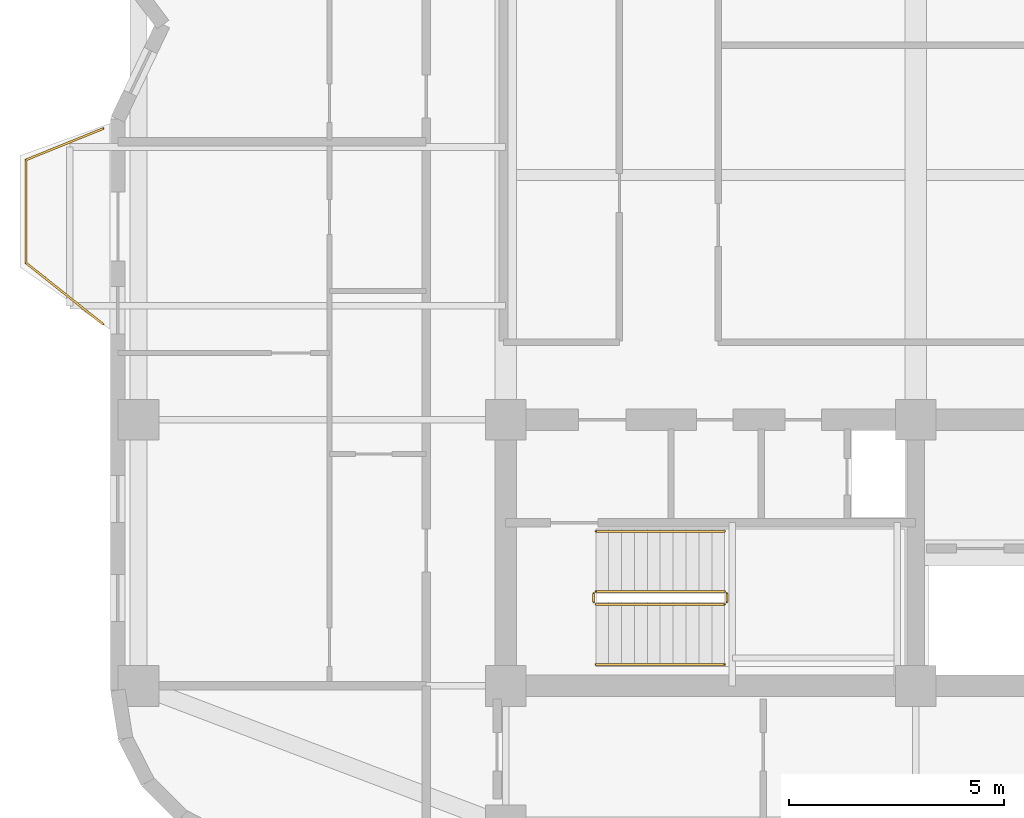
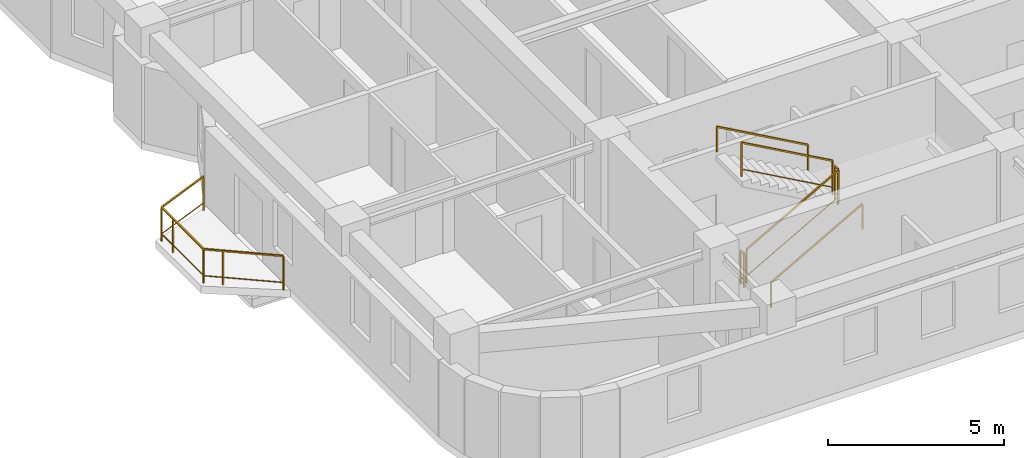
# One storey, part 8 of 9: 7 railings.
"""IFC4 building model written with IfcOpenShell, lengths in metres."""

import ifcopenshell
import ifcopenshell.guid

model = None  # the IFC model being written
_history = None  # IfcOwnerHistory: only IFC2X3 demands one
_inside = {}  # id of a spatial element -> (the spatial element, [elements in it])
_under = {}  # id of a project, library or spatial element -> (it, [spatial elements below it])
_declared = {}  # id of a project -> (the project, [libraries it declares])
_typed = {}  # id of a type object -> (the type object, [elements of that type])
_made_of = {}  # id of a material, layer set ... -> (it, [elements and type objects made of it])


def new_model(schema):
    """Start an empty IFC model of exactly this schema.

    Asked for "IFC4X3", IfcOpenShell would pick the latest addendum, in which some entities
    have other attributes; the version numbers below select the first issue.
    IFC2X3 requires an IfcOwnerHistory on every rooted entity: one is made here for all.
    """
    global model, _history
    if schema == "IFC4X3":
        model = ifcopenshell.file(schema_version=(4, 3, 0, 0))
    else:
        model = ifcopenshell.file(schema=schema)
    _inside.clear()
    _under.clear()
    _declared.clear()
    _typed.clear()
    _made_of.clear()
    _history = None
    if model.schema == "IFC2X3":
        org = make("IfcOrganization", Name="unknown")
        user = make(
            "IfcPersonAndOrganization",
            ThePerson=make("IfcPerson", FamilyName="unknown"),
            TheOrganization=org,
        )
        app = make(
            "IfcApplication",
            ApplicationDeveloper=org,
            Version="unknown",
            ApplicationFullName="unknown",
            ApplicationIdentifier="unknown",
        )
        _history = make(
            "IfcOwnerHistory",
            OwningUser=user,
            OwningApplication=app,
            ChangeAction="ADDED",
            CreationDate=0,
        )
    return model


def make(cls, **values):
    """One entity of the class cls with the attributes given. An attribute that is None is left unset."""
    return model.create_entity(
        cls, **{name: value for name, value in values.items() if value is not None}
    )


def rooted(cls, **values):
    """An entity with a GlobalId (a new one), such as an element, a storey or a relation."""
    return make(cls, GlobalId=ifcopenshell.guid.new(), OwnerHistory=_history, **values)


def si_unit(unit_type, name, prefix=None):
    """IfcSIUnit, for example si_unit("LENGTHUNIT", "METRE", prefix="MILLI")."""
    return make("IfcSIUnit", UnitType=unit_type, Prefix=prefix, Name=name)


def assignment(units):
    """IfcUnitAssignment: the units of a project."""
    return None if units is None else make("IfcUnitAssignment", Units=units)


def point(xyz):
    """IfcCartesianPoint."""
    return None if xyz is None else make("IfcCartesianPoint", Coordinates=xyz)


def direction(xyz):
    """IfcDirection."""
    return None if xyz is None else make("IfcDirection", DirectionRatios=xyz)


def frame(location, z_axis=None, x_axis=None):
    """IfcAxis2Placement3D, a coordinate frame: its origin and axes. An axis left out is left unset."""
    return make(
        "IfcAxis2Placement3D",
        Location=point(location),
        Axis=direction(z_axis),
        RefDirection=direction(x_axis),
    )


def frame_2d(location, x_axis=None):
    """IfcAxis2Placement2D, a coordinate frame in the plane: its origin and x axis."""
    return make(
        "IfcAxis2Placement2D", Location=point(location), RefDirection=direction(x_axis)
    )


def origin():
    """The frame at (0, 0, 0) with its axes left unset."""
    return frame((0.0, 0.0, 0.0))


def origin_2d():
    """The frame at (0, 0) in the plane with its x axis left unset."""
    return frame_2d((0.0, 0.0))


def place(relative_to, where):
    """IfcLocalPlacement: puts the frame where relative to a parent placement (None: the world)."""
    return make(
        "IfcLocalPlacement", PlacementRelTo=relative_to, RelativePlacement=where
    )


def context(
    kind, dimensions, precision=None, world=None, true_north=None, identifier=None
):
    """IfcGeometricRepresentationContext, for example the 3D "Model" context."""
    return make(
        "IfcGeometricRepresentationContext",
        ContextIdentifier=identifier,
        ContextType=kind,
        CoordinateSpaceDimension=dimensions,
        Precision=precision,
        WorldCoordinateSystem=world,
        TrueNorth=true_north,
    )


def subcontext(parent, identifier, kind, view, scale=None):
    """IfcGeometricRepresentationSubContext, for example "Body" below "Model"."""
    return make(
        "IfcGeometricRepresentationSubContext",
        ContextIdentifier=identifier,
        ContextType=kind,
        ParentContext=parent,
        TargetScale=scale,
        TargetView=view,
    )


def project(units=None, contexts=None):
    """IfcProject with its units and contexts."""
    return rooted(
        "IfcProject",
        Name="project",
        RepresentationContexts=contexts,
        UnitsInContext=assignment(units),
    )


def spatial(cls, under=None, at=None, **own):
    """A site, building, storey or space (cls), placed at a placement, below another one or the project."""
    s = rooted(cls, ObjectPlacement=at, **own)
    if under is not None:
        _under.setdefault(under.id(), (under, []))[1].append(s)
    return s


def profile(cls, at=None, kind="AREA", **sizes):
    """A parametric profile (cls). Its sizes go by their IFC names, for example OverallWidth=200.0."""
    return make(cls, ProfileType=kind, Position=at, **sizes)


def rectangle(**sizes):
    """IfcRectangleProfileDef."""
    return profile("IfcRectangleProfileDef", **sizes)


def extrude(swept, where, along, depth):
    """IfcExtrudedAreaSolid: the profile swept, set in the frame where, extruded along a direction by depth."""
    return make(
        "IfcExtrudedAreaSolid",
        SweptArea=swept,
        Position=where,
        ExtrudedDirection=direction(along),
        Depth=depth,
    )


def shape(context_of_items, identifier, shape_type, items):
    """IfcShapeRepresentation: the items that make up one representation, for example the "Body"."""
    return make(
        "IfcShapeRepresentation",
        ContextOfItems=context_of_items,
        RepresentationIdentifier=identifier,
        RepresentationType=shape_type,
        Items=items,
    )


def material(Name=None, Category=None):
    """IfcMaterial."""
    return make("IfcMaterial", Name=Name, Category=Category)


def made_of(thing, what):
    """Note that an element or type object is made of a material, layer set ...; save() writes the relation."""
    if what is not None:
        _made_of.setdefault(what.id(), (what, []))[1].append(thing)
    return thing


def type_object(cls, material=None, **own):
    """A type object (cls), such as IfcWallType, which elements share."""
    return made_of(rooted(cls, **own), material)


def element(
    cls,
    number,
    at=None,
    inside=None,
    cuts=None,
    type_object=None,
    material=None,
    context=None,
    identifier="Body",
    shape_type=None,
    held_by="IfcProductDefinitionShape",
    body=None,
    shapes=None,
    **own,
):
    """One element of the class cls, such as IfcWall. Its Tag is "e" and its number.

    at: its placement. inside: the storey or other place that contains it. cuts: it is an
    opening in that element (IfcRelVoidsElement). A single representation is given by context,
    identifier, shape_type and body (its items); several are given by shapes. held_by: the class
    of the entity that holds the representations. save() writes the other relations.
    """
    e = rooted(cls, Tag="e%d" % number, ObjectPlacement=at, **own)
    if body is not None:
        shapes = [shape(context, identifier, shape_type, body)]
    if shapes is not None:
        e.Representation = make(held_by, Representations=shapes)
    if inside is not None:
        _inside.setdefault(inside.id(), (inside, []))[1].append(e)
    if cuts is not None:
        rooted(
            "IfcRelVoidsElement", RelatingBuildingElement=cuts, RelatedOpeningElement=e
        )
    if type_object is not None:
        _typed.setdefault(type_object.id(), (type_object, []))[1].append(e)
    return made_of(e, material)


def aggregate(whole, parts):
    """IfcRelAggregates: a whole, such as a stair, and the parts it consists of."""
    return rooted("IfcRelAggregates", RelatingObject=whole, RelatedObjects=parts)


def save(model, path):
    """Write the relations noted so far, then the file.

    IfcRelAggregates (storeys below a building ...), IfcRelContainedInSpatialStructure (elements
    in a storey), IfcRelDefinesByType, IfcRelAssociatesMaterial and IfcRelDeclares: one each for
    every whole, place, type object, material and project.
    """
    for whole, parts in _under.values():
        aggregate(whole, parts)
    for where, things in _inside.values():
        rooted(
            "IfcRelContainedInSpatialStructure",
            RelatedElements=things,
            RelatingStructure=where,
        )
    for kind, things in _typed.values():
        rooted("IfcRelDefinesByType", RelatedObjects=things, RelatingType=kind)
    for what, things in _made_of.values():
        rooted("IfcRelAssociatesMaterial", RelatedObjects=things, RelatingMaterial=what)
    for by, libraries in _declared.values():
        rooted("IfcRelDeclares", RelatingContext=by, RelatedDefinitions=libraries)
    model.write(path)


model = new_model("IFC4")

# Units and contexts
model_context = context("Model", 3, precision=1e-05, world=origin(), true_north=direction((0.0, 1.0)))
body_context = subcontext(model_context, "Body", "Model", "MODEL_VIEW")
ifc_project = project(units=[si_unit("LENGTHUNIT", "METRE"), si_unit("AREAUNIT", "SQUARE_METRE"), si_unit("VOLUMEUNIT", "CUBIC_METRE"), si_unit("PLANEANGLEUNIT", "RADIAN"), si_unit("MASSUNIT", "GRAM", prefix="KILO")], contexts=[model_context])

# Site, building, storey
site_placement = place(None, origin())
site = spatial("IfcSite", under=ifc_project, at=site_placement, CompositionType="ELEMENT")
building_placement = place(site_placement, origin())
building = spatial("IfcBuilding", under=site, at=building_placement, Name="Svetorya Sky Lyceum", CompositionType="ELEMENT")
storey_placement = place(building_placement, frame((0.0, 0.0, 192.199951171875)))
storey = spatial("IfcBuildingStorey", under=building, at=storey_placement, Name="L48", CompositionType="ELEMENT", Elevation=192.199951171875)

# Railings
ifc_material_1 = material(Name="Laminated safety glass and stainless AISI 316", Category="glass")
railing_type_1 = type_object("IfcRailingType", Name="RL-BAL-1200", PredefinedType="BALUSTRADE", material=ifc_material_1)
railing_1_placement = place(storey_placement, frame((16.22998046875, 19.02001953125, 0.0)))
element("IfcRailing", 1, at=railing_1_placement, inside=storey, type_object=railing_type_1, Name="L48 Balcony Balustrade BAL-W1", PredefinedType="BALUSTRADE", context=body_context, shape_type="SweptSolid", body=[
    extrude(rectangle(XDim=0.048095703125, YDim=0.048095703125, at=origin_2d()), frame((0.0, 0.0, 1.17578125), z_axis=(-0.783008919264, 0.622010476079, 0.0), x_axis=(-0.622010476079, -0.783008919264, 0.0)), (0.0, 0.0, 1.0), 2.298828125),
    extrude(rectangle(XDim=0.02392578125, YDim=0.02392578125, at=origin_2d()), frame((0.0, 0.0, 0.25), z_axis=(-0.783008919264, 0.622010476079, 0.0), x_axis=(-0.622010476079, -0.783008919264, 0.0)), (0.0, 0.0, 1.0), 2.298828125),
    extrude(rectangle(XDim=0.048095703125, YDim=0.048095703125, at=origin_2d()), frame((-1.800048828125, 1.429931640625, 1.17578125), z_axis=(0.0, 1.0, 0.0), x_axis=(-1.0, 0.0, 0.0)), (0.0, 0.0, 1.0), 2.400146484375),
    extrude(rectangle(XDim=0.02392578125, YDim=0.02392578125, at=origin_2d()), frame((-1.800048828125, 1.429931640625, 0.25), z_axis=(0.0, 1.0, 0.0), x_axis=(-1.0, 0.0, 0.0)), (0.0, 0.0, 1.0), 2.400146484375),
    extrude(rectangle(XDim=0.048095703125, YDim=0.048095703125, at=origin_2d()), frame((-1.800048828125, 3.830078125, 1.17578125), z_axis=(0.926697865975, 0.375807218129, 0.0), x_axis=(-0.375807218129, 0.926697865975, 0.0)), (0.0, 0.0, 1.0), 1.9423828125),
    extrude(rectangle(XDim=0.02392578125, YDim=0.02392578125, at=origin_2d()), frame((-1.800048828125, 3.830078125, 0.25), z_axis=(0.926697865975, 0.375807218129, 0.0), x_axis=(-0.375807218129, 0.926697865975, 0.0)), (0.0, 0.0, 1.0), 1.9423828125),
    extrude(rectangle(XDim=0.0419921875, YDim=0.0419921875, at=origin_2d()), origin(), (0.0, 0.0, 1.0), 1.15185546875),
    extrude(rectangle(XDim=0.0419921875, YDim=0.0419921875, at=origin_2d()), frame((-1.370361328125, 1.088623046875, 0.0)), (0.0, 0.0, 1.0), 1.15185546875),
    extrude(rectangle(XDim=0.0419921875, YDim=0.0419921875, at=origin_2d()), frame((-1.800048828125, 1.429931640625, 0.0)), (0.0, 0.0, 1.0), 1.15185546875),
    extrude(rectangle(XDim=0.0419921875, YDim=0.0419921875, at=origin_2d()), frame((-1.800048828125, 3.179931640625, 0.0)), (0.0, 0.0, 1.0), 1.15185546875),
    extrude(rectangle(XDim=0.0419921875, YDim=0.0419921875, at=origin_2d()), frame((-1.800048828125, 3.830078125, 0.0)), (0.0, 0.0, 1.0), 1.15185546875),
    extrude(rectangle(XDim=0.0419921875, YDim=0.0419921875, at=origin_2d()), frame((0.0, 4.56005859375, 0.0)), (0.0, 0.0, 1.0), 1.15185546875),
])
ifc_material_2 = material(Name="Painted galvanized stair well guard")
railing_type_2 = type_object("IfcRailingType", Name="RL-STR-GUARD-1200", PredefinedType="GUARDRAIL", material=ifc_material_2)
railing_2_placement = place(storey_placement, frame((27.699951171875, 12.5, 0.168212890625)))
element("IfcRailing", 2, at=railing_2_placement, inside=storey, type_object=railing_type_2, Name="L48 ST-S stair guard 1", PredefinedType="GUARDRAIL", context=body_context, shape_type="SweptSolid", body=[
    extrude(rectangle(XDim=0.048095703125, YDim=0.048095703125, at=origin_2d()), frame((0.0, 0.0, 1.17578125), z_axis=(0.872272294576, 0.0, 0.489020494575), x_axis=(0.0, 1.0, 0.0)), (0.0, 0.0, 1.0), 3.439208984375),
    extrude(rectangle(XDim=0.02392578125, YDim=0.02392578125, at=origin_2d()), frame((0.0, 0.0, 0.25), z_axis=(0.872272294576, 0.0, 0.489020494575), x_axis=(0.0, 1.0, 0.0)), (0.0, 0.0, 1.0), 3.439208984375),
    extrude(rectangle(XDim=0.0419921875, YDim=0.0419921875, at=origin_2d()), origin(), (0.0, 0.0, 1.0), 1.15185546875),
    extrude(rectangle(XDim=0.0419921875, YDim=0.0419921875, at=origin_2d()), frame((3.0, 0.0, 1.681884765625)), (0.0, 0.0, 1.0), 1.15185546875),
])
railing_3_placement = place(storey_placement, frame((30.75, 12.550048828125, 1.85009765625)))
element("IfcRailing", 3, at=railing_3_placement, inside=storey, type_object=railing_type_2, Name="L48 ST-S stair guard 2", PredefinedType="GUARDRAIL", context=body_context, shape_type="SweptSolid", body=[
    extrude(rectangle(XDim=0.048095703125, YDim=0.048095703125, at=origin_2d()), frame((0.0, 0.0, 1.17578125), z_axis=(0.0, 1.0, 0.0), x_axis=(-1.0, 0.0, 0.0)), (0.0, 0.0, 1.0), 0.199951171875),
    extrude(rectangle(XDim=0.02392578125, YDim=0.02392578125, at=origin_2d()), frame((0.0, 0.0, 0.25), z_axis=(0.0, 1.0, 0.0), x_axis=(-1.0, 0.0, 0.0)), (0.0, 0.0, 1.0), 0.199951171875),
    extrude(rectangle(XDim=0.0419921875, YDim=0.0419921875, at=origin_2d()), origin(), (0.0, 0.0, 1.0), 1.15185546875),
    extrude(rectangle(XDim=0.0419921875, YDim=0.0419921875, at=origin_2d()), frame((0.0, 0.199951171875, 0.0)), (0.0, 0.0, 1.0), 1.15185546875),
])
railing_4_placement = place(storey_placement, frame((30.699951171875, 12.800048828125, 2.018310546875)))
element("IfcRailing", 4, at=railing_4_placement, inside=storey, type_object=railing_type_2, Name="L48 ST-S stair guard 3", PredefinedType="GUARDRAIL", context=body_context, shape_type="SweptSolid", body=[
    extrude(rectangle(XDim=0.048095703125, YDim=0.048095703125, at=origin_2d()), frame((0.0, 0.0, 1.17578125), z_axis=(-0.872302573547, 0.0, 0.488966481656), x_axis=(0.0, -1.0, 0.0)), (0.0, 0.0, 1.0), 3.439208984375),
    extrude(rectangle(XDim=0.02392578125, YDim=0.02392578125, at=origin_2d()), frame((0.0, 0.0, 0.25), z_axis=(-0.872302573547, 0.0, 0.488966481656), x_axis=(0.0, -1.0, 0.0)), (0.0, 0.0, 1.0), 3.439208984375),
    extrude(rectangle(XDim=0.0419921875, YDim=0.0419921875, at=origin_2d()), origin(), (0.0, 0.0, 1.0), 1.15185546875),
    extrude(rectangle(XDim=0.0419921875, YDim=0.0419921875, at=origin_2d()), frame((-3.0, 0.0, 1.681640625)), (0.0, 0.0, 1.0), 1.15185546875),
])
railing_5_placement = place(storey_placement, frame((27.64990234375, 12.550048828125, 0.0)))
element("IfcRailing", 5, at=railing_5_placement, inside=storey, type_object=railing_type_2, Name="L48 ST-S stair guard 4", PredefinedType="GUARDRAIL", context=body_context, shape_type="SweptSolid", body=[
    extrude(rectangle(XDim=0.048095703125, YDim=0.048095703125, at=origin_2d()), frame((0.0, 0.0, 1.17578125), z_axis=(0.0, 1.0, 0.0), x_axis=(-1.0, 0.0, 0.0)), (0.0, 0.0, 1.0), 0.199951171875),
    extrude(rectangle(XDim=0.02392578125, YDim=0.02392578125, at=origin_2d()), frame((0.0, 0.0, 0.25), z_axis=(0.0, 1.0, 0.0), x_axis=(-1.0, 0.0, 0.0)), (0.0, 0.0, 1.0), 0.199951171875),
    extrude(rectangle(XDim=0.0419921875, YDim=0.0419921875, at=origin_2d()), origin(), (0.0, 0.0, 1.0), 1.15185546875),
    extrude(rectangle(XDim=0.0419921875, YDim=0.0419921875, at=origin_2d()), frame((0.0, 0.199951171875, 0.0)), (0.0, 0.0, 1.0), 1.15185546875),
])
ifc_material_3 = material(Name="Brushed stainless AISI 304 stair handrail")
railing_type_3 = type_object("IfcRailingType", Name="RL-STR-HAND-920", PredefinedType="HANDRAIL", material=ifc_material_3)
railing_6_placement = place(storey_placement, frame((27.699951171875, 11.10009765625, 0.168212890625)))
element("IfcRailing", 6, at=railing_6_placement, inside=storey, type_object=railing_type_3, Name="L48 ST-S stair handrail 1", PredefinedType="HANDRAIL", context=body_context, shape_type="SweptSolid", body=[
    extrude(rectangle(XDim=0.048095703125, YDim=0.048095703125, at=origin_2d()), frame((0.0, 0.0, 0.8759765625), z_axis=(0.872272294576, 0.0, 0.489020494575), x_axis=(0.0, 1.0, 0.0)), (0.0, 0.0, 1.0), 3.439208984375),
    extrude(rectangle(XDim=0.0419921875, YDim=0.0419921875, at=origin_2d()), origin(), (0.0, 0.0, 1.0), 0.851806640625),
    extrude(rectangle(XDim=0.0419921875, YDim=0.0419921875, at=origin_2d()), frame((3.0, 0.0, 1.681884765625)), (0.0, 0.0, 1.0), 0.851806640625),
])
railing_7_placement = place(storey_placement, frame((30.699951171875, 14.199951171875, 2.018310546875)))
element("IfcRailing", 7, at=railing_7_placement, inside=storey, type_object=railing_type_3, Name="L48 ST-S stair handrail 2", PredefinedType="HANDRAIL", context=body_context, shape_type="SweptSolid", body=[
    extrude(rectangle(XDim=0.048095703125, YDim=0.048095703125, at=origin_2d()), frame((0.0, 0.0, 0.8759765625), z_axis=(-0.872302573547, 0.0, 0.488966481656), x_axis=(0.0, -1.0, 0.0)), (0.0, 0.0, 1.0), 3.439208984375),
    extrude(rectangle(XDim=0.0419921875, YDim=0.0419921875, at=origin_2d()), origin(), (0.0, 0.0, 1.0), 0.851806640625),
    extrude(rectangle(XDim=0.0419921875, YDim=0.0419921875, at=origin_2d()), frame((-3.0, 0.0, 1.681640625)), (0.0, 0.0, 1.0), 0.851806640625),
])

save(model, "model.ifc")
